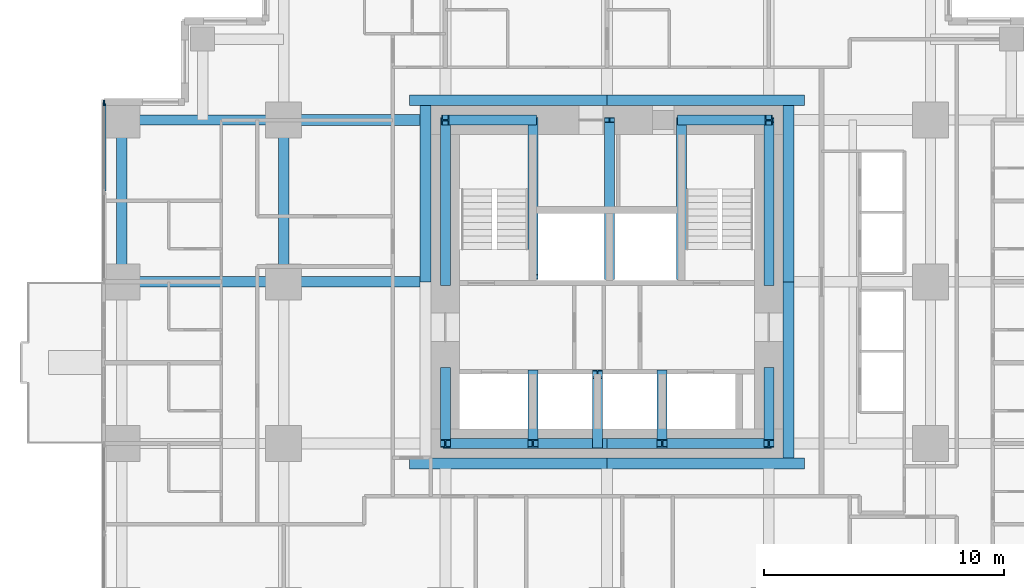
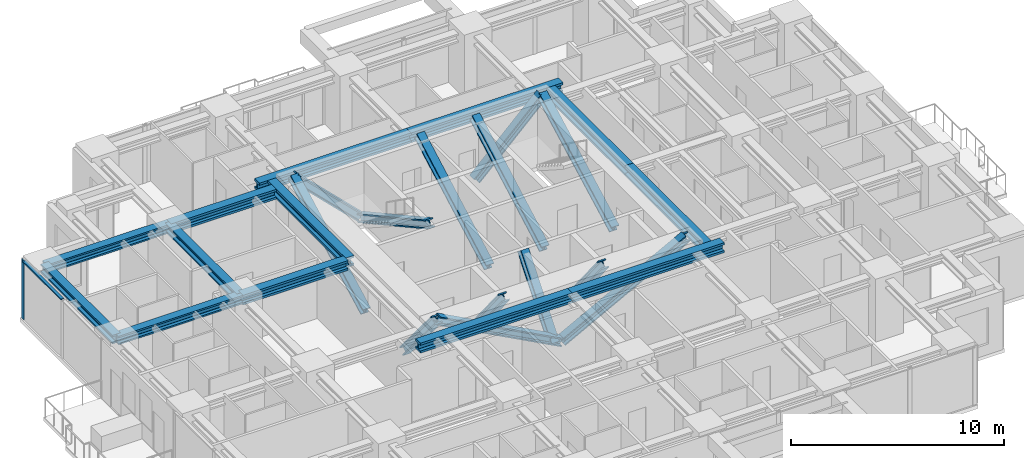
# One storey, part 3 of 13: 16 members, 13 beams, 1 element without a shape of its own.
"""IFC4 building model written with IfcOpenShell, lengths in metres."""

from ifc_helpers import new_model, si_unit, direction, frame, origin, origin_2d, place, context, subcontext, project, spatial, rectangle, i_section, extrude, material, material_profile, profile_set, type_object, element, aggregate, save


model = new_model("IFC4")

# Units and contexts
model_context = context("Model", 3, precision=1e-05, world=origin(), true_north=direction((0.0, 1.0)))
body_context = subcontext(model_context, "Body", "Model", "MODEL_VIEW")
ifc_project = project(units=[si_unit("LENGTHUNIT", "METRE"), si_unit("AREAUNIT", "SQUARE_METRE"), si_unit("VOLUMEUNIT", "CUBIC_METRE"), si_unit("PLANEANGLEUNIT", "RADIAN"), si_unit("MASSUNIT", "GRAM", prefix="KILO")], contexts=[model_context])

# Site, building, storey
site_placement = place(None, origin())
site = spatial("IfcSite", under=ifc_project, at=site_placement, CompositionType="ELEMENT")
building_placement = place(site_placement, origin())
building = spatial("IfcBuilding", under=site, at=building_placement, Name="Nyansa Garden Tower", CompositionType="ELEMENT")
storey_placement = place(building_placement, frame((0.0, 0.0, 130.5)))
storey = spatial("IfcBuildingStorey", under=building, at=storey_placement, Name="L35", CompositionType="ELEMENT", Elevation=130.5)

# Curtain wall, member
ifc_material_1 = material(Name="Black anodised aluminium, dark tinted double glazing", Category="aluminium")
curtain_wall_type = type_object("IfcCurtainWallType", Name="Inner skin curtain wall ISW-B", PredefinedType="USERDEFINED", material=ifc_material_1)
curtain_wall_placement = place(storey_placement, origin())
curtain_wall = element("IfcCurtainWall", 1, at=curtain_wall_placement, inside=storey, type_object=curtain_wall_type, Name="Inner skin curtain wall L35 W", ObjectType="UNITISED CURTAIN WALL", PredefinedType="USERDEFINED")
ifc_material_2 = material(Name="Black anodised aluminium", Category="aluminium")
ifc_material_profile_1 = material_profile(ifc_material_2, rectangle(XDim=0.06494140625, YDim=0.22509765625, at=origin_2d()), Name="Mullion 225x65")
ifc_profile_set_1 = profile_set([ifc_material_profile_1], Name="Black anodised aluminium")
member_type_1 = type_object("IfcMemberType", Name="Mullion ISW-B 225x65", PredefinedType="MULLION", material=ifc_profile_set_1)
member_1_placement = place(storey_placement, frame((-0.75, 27.717529296875, 0.0), z_axis=(0.0, 0.0, 1.0), x_axis=(1.0, 0.0, 0.0)))
member_1 = element("IfcMember", 2, at=member_1_placement, type_object=member_type_1, Name="ISW-B mullion 1", PredefinedType="MULLION", context=body_context, shape_type="SweptSolid", body=[
    extrude(rectangle(XDim=0.06494140625, YDim=0.22509765625, at=origin_2d()), origin(), (0.0, 0.0, 1.0), 3.375),
])

# Members
ifc_material_3 = material(Name="Steel S355", Category="steel")
ifc_material_profile_2 = material_profile(ifc_material_3, i_section(OverallWidth=0.41796875, OverallDepth=0.455078125, WebThickness=0.0419921875, FlangeThickness=0.067626953125, FilletRadius=0.014892578125, at=origin_2d()), Name="HD 400x463")
ifc_profile_set_2 = profile_set([ifc_material_profile_2], Name="Steel S355")
member_type_2 = type_object("IfcMemberType", Name="Perimeter brace HD 400x463", PredefinedType="BRACE", material=ifc_profile_set_2)
for number, where, z_axis, x_axis, name in (
    (3, (20.25, 13.5, 0.0), (-0.882347640589, 0.0, 0.47059817376), (0.0, -1.0, 0.0), "Core brace CS1 L35"),
    (4, (20.25, 13.5, 0.0), (0.882347640589, 0.0, 0.47059817376), (0.0, 1.0, 0.0), "Core brace CS2 L35"),
):
    element("IfcMember", number, at=place(storey_placement, frame(where, z_axis=z_axis, x_axis=x_axis)), inside=storey, type_object=member_type_2, Name=name, PredefinedType="BRACE", context=body_context, shape_type="SweptSolid", body=[
        extrude(i_section(OverallWidth=0.41796875, OverallDepth=0.455078125, WebThickness=0.0419921875, FlangeThickness=0.067626953125, FilletRadius=0.014892578125, at=origin_2d()), origin(), (0.0, 0.0, 1.0), 7.650146484375),
    ])
for number, where, z_axis, x_axis, name in (
    (5, (17.14990234375, 27.0, 0.0), (-0.711947531702, 0.0, 0.702232662373), (0.0, -1.0, 0.0), "Core brace CN3 L35"),
    (6, (23.35009765625, 27.0, 0.0), (0.711947531702, 0.0, 0.702232662373), (0.0, 1.0, 0.0), "Core brace CN4 L35"),
):
    element("IfcMember", number, at=place(storey_placement, frame(where, z_axis=z_axis, x_axis=x_axis)), inside=storey, type_object=member_type_2, Name=name, PredefinedType="BRACE", context=body_context, shape_type="SweptSolid", body=[
        extrude(i_section(OverallWidth=0.41796875, OverallDepth=0.455078125, WebThickness=0.0419921875, FlangeThickness=0.067626953125, FilletRadius=0.014892578125, at=origin_2d()), origin(), (0.0, 0.0, 1.0), 5.126708984375),
    ])
member_2_placement = place(storey_placement, frame((13.5, 16.5, 0.0), z_axis=(0.0, -0.640174150918, 0.768229820104), x_axis=(1.0, 0.0, 0.0)))
element("IfcMember", 7, at=member_2_placement, inside=storey, type_object=member_type_2, Name="Core brace CW5 L35", PredefinedType="BRACE", context=body_context, shape_type="SweptSolid", body=[
    extrude(i_section(OverallWidth=0.41796875, OverallDepth=0.455078125, WebThickness=0.0419921875, FlangeThickness=0.067626953125, FilletRadius=0.014892578125, at=origin_2d()), origin(), (0.0, 0.0, 1.0), 4.686279296875),
])
member_3_placement = place(storey_placement, frame((13.5, 20.199951171875, 0.0), z_axis=(0.0, 0.883784057226, 0.467895009796), x_axis=(-1.0, 0.0, 0.0)))
element("IfcMember", 8, at=member_3_placement, inside=storey, type_object=member_type_2, Name="Core brace CW6 L35", PredefinedType="BRACE", context=body_context, shape_type="SweptSolid", body=[
    extrude(i_section(OverallWidth=0.41796875, OverallDepth=0.455078125, WebThickness=0.0419921875, FlangeThickness=0.067626953125, FilletRadius=0.014892578125, at=origin_2d()), origin(), (0.0, 0.0, 1.0), 7.6943359375),
])
member_4_placement = place(storey_placement, frame((27.0, 16.5, 0.0), z_axis=(0.0, -0.640174150918, 0.768229820104), x_axis=(1.0, 0.0, 0.0)))
element("IfcMember", 9, at=member_4_placement, inside=storey, type_object=member_type_2, Name="Core brace CE7 L35", PredefinedType="BRACE", context=body_context, shape_type="SweptSolid", body=[
    extrude(i_section(OverallWidth=0.41796875, OverallDepth=0.455078125, WebThickness=0.0419921875, FlangeThickness=0.067626953125, FilletRadius=0.014892578125, at=origin_2d()), origin(), (0.0, 0.0, 1.0), 4.686279296875),
])
member_5_placement = place(storey_placement, frame((27.0, 20.199951171875, 0.0), z_axis=(0.0, 0.883784057226, 0.467895009796), x_axis=(-1.0, 0.0, 0.0)))
element("IfcMember", 10, at=member_5_placement, inside=storey, type_object=member_type_2, Name="Core brace CE8 L35", PredefinedType="BRACE", context=body_context, shape_type="SweptSolid", body=[
    extrude(i_section(OverallWidth=0.41796875, OverallDepth=0.455078125, WebThickness=0.0419921875, FlangeThickness=0.067626953125, FilletRadius=0.014892578125, at=origin_2d()), origin(), (0.0, 0.0, 1.0), 7.6943359375),
])
for number, where, z_axis, x_axis, name in (
    (11, (17.14990234375, 27.0, 0.0), (0.0, -0.876353113771, 0.481669201822), (1.0, 0.0, 0.0), "Core brace CWS9 L35"),
    (12, (23.35009765625, 20.449951171875, 0.0), (0.0, 0.876353113771, 0.481669201822), (-1.0, 0.0, 0.0), "Core brace CES10 L35"),
):
    element("IfcMember", number, at=place(storey_placement, frame(where, z_axis=z_axis, x_axis=x_axis)), inside=storey, type_object=member_type_2, Name=name, PredefinedType="BRACE", context=body_context, shape_type="SweptSolid", body=[
        extrude(i_section(OverallWidth=0.41796875, OverallDepth=0.455078125, WebThickness=0.0419921875, FlangeThickness=0.067626953125, FilletRadius=0.014892578125, at=origin_2d()), origin(), (0.0, 0.0, 1.0), 7.47412109375),
    ])
for number, where, z_axis, x_axis, name in (
    (13, (17.14990234375, 16.39990234375, 0.0), (0.0, -0.627306405886, 0.778772542617), (1.0, 0.0, 0.0), "Core brace CSW11 L35"),
    (14, (19.85009765625, 13.5, 0.0), (0.0, 0.627306405886, 0.778772542617), (-1.0, 0.0, 0.0), "Core brace CSW12 L35"),
    (15, (22.550048828125, 16.39990234375, 0.0), (0.0, -0.627306405886, 0.778772542617), (1.0, 0.0, 0.0), "Core brace CSW13 L35"),
):
    element("IfcMember", number, at=place(storey_placement, frame(where, z_axis=z_axis, x_axis=x_axis)), inside=storey, type_object=member_type_2, Name=name, PredefinedType="BRACE", context=body_context, shape_type="SweptSolid", body=[
        extrude(i_section(OverallWidth=0.41796875, OverallDepth=0.455078125, WebThickness=0.0419921875, FlangeThickness=0.067626953125, FilletRadius=0.014892578125, at=origin_2d()), origin(), (0.0, 0.0, 1.0), 4.622802734375),
    ])
member_6_placement = place(storey_placement, frame((20.35009765625, 20.449951171875, 0.0), z_axis=(0.0, 0.876353113771, 0.481669201822), x_axis=(-1.0, 0.0, 0.0)))
element("IfcMember", 16, at=member_6_placement, inside=storey, type_object=member_type_2, Name="Core brace CNW14 L35", PredefinedType="BRACE", context=body_context, shape_type="SweptSolid", body=[
    extrude(i_section(OverallWidth=0.41796875, OverallDepth=0.455078125, WebThickness=0.0419921875, FlangeThickness=0.067626953125, FilletRadius=0.014892578125, at=origin_2d()), origin(), (0.0, 0.0, 1.0), 7.47412109375),
])

# Beams
ifc_material_4 = material(Name="Steel S355", Category="steel")
ifc_material_profile_3 = material_profile(ifc_material_4, i_section(OverallWidth=0.431884765625, OverallDepth=0.498046875, WebThickness=0.0556640625, FlangeThickness=0.0888671875, FilletRadius=0.014892578125, at=origin_2d()), Name="HD 400x744")
ifc_profile_set_3 = profile_set([ifc_material_profile_3], Name="Steel S355")
beam_type_1 = type_object("IfcBeamType", Name="Steel beam SBB2-744 HD 400x744", PredefinedType="BEAM", material=ifc_profile_set_3)
for number, where, z_axis, x_axis, name in (
    (17, (0.0, 20.25, 3.1259765625), (1.0, 0.0, 0.0), (0.0, 1.0, 0.0), "Steel beam 2/G-3/G L36"),
    (18, (0.0, 27.0, 3.1259765625), (1.0, 0.0, 0.0), (0.0, 1.0, 0.0), "Steel beam 2/H-3/H L36"),
    (19, (6.75, 20.25, 3.1259765625), (0.0, 1.0, 0.0), (-1.0, 0.0, 0.0), "Steel beam 3/G-3/H L36"),
):
    element("IfcBeam", number, at=place(storey_placement, frame(where, z_axis=z_axis, x_axis=x_axis)), inside=storey, type_object=beam_type_1, Name=name, PredefinedType="BEAM", context=body_context, shape_type="SweptSolid", body=[
        extrude(i_section(OverallWidth=0.431884765625, OverallDepth=0.498046875, WebThickness=0.0556640625, FlangeThickness=0.0888671875, FilletRadius=0.014892578125, at=origin_2d()), origin(), (0.0, 0.0, 1.0), 6.75),
    ])
ifc_material_5 = material(Name="Steel S355", Category="steel")
ifc_material_profile_4 = material_profile(ifc_material_5, i_section(OverallWidth=0.4541015625, OverallDepth=0.569091796875, WebThickness=0.077880859375, FlangeThickness=0.125, FilletRadius=0.014892578125, at=origin_2d()), Name="HD 400x1086")
ifc_profile_set_4 = profile_set([ifc_material_profile_4], Name="Steel S355")
beam_type_2 = type_object("IfcBeamType", Name="Steel beam SCL-1086 HD 400x1086", PredefinedType="BEAM", material=ifc_profile_set_4)
for number, where, z_axis, x_axis, name in (
    (20, (6.75, 20.25, 3.090576171875), (1.0, 0.0, 0.0), (0.0, 1.0, 0.0), "Steel beam 3/G-12.450/G L36"),
    (21, (6.75, 27.0, 3.090576171875), (1.0, 0.0, 0.0), (0.0, 1.0, 0.0), "Steel beam 3/H-12.450/H L36"),
):
    element("IfcBeam", number, at=place(storey_placement, frame(where, z_axis=z_axis, x_axis=x_axis)), inside=storey, type_object=beam_type_2, Name=name, PredefinedType="BEAM", context=body_context, shape_type="SweptSolid", body=[
        extrude(i_section(OverallWidth=0.4541015625, OverallDepth=0.569091796875, WebThickness=0.077880859375, FlangeThickness=0.125, FilletRadius=0.014892578125, at=origin_2d()), origin(), (0.0, 0.0, 1.0), 5.699951171875),
    ])
for number, where, z_axis, x_axis, name in (
    (22, (12.0, 12.673095703125, 3.090576171875), (1.0, 0.0, 0.0), (0.0, 1.0, 0.0), "Steel core ledger beam S.1 L36"),
    (23, (20.25, 12.673095703125, 3.090576171875), (1.0, 0.0, 0.0), (0.0, 1.0, 0.0), "Steel core ledger beam S.2 L36"),
):
    element("IfcBeam", number, at=place(storey_placement, frame(where, z_axis=z_axis, x_axis=x_axis)), inside=storey, type_object=beam_type_2, Name=name, PredefinedType="BEAM", context=body_context, shape_type="SweptSolid", body=[
        extrude(i_section(OverallWidth=0.4541015625, OverallDepth=0.569091796875, WebThickness=0.077880859375, FlangeThickness=0.125, FilletRadius=0.014892578125, at=origin_2d()), origin(), (0.0, 0.0, 1.0), 8.25),
    ])
for number, where, z_axis, x_axis, name in (
    (24, (27.826904296875, 12.89990234375, 3.090576171875), (0.0, 1.0, 0.0), (-1.0, 0.0, 0.0), "Steel core ledger beam E.1 L36"),
    (25, (27.826904296875, 20.25, 3.090576171875), (0.0, 1.0, 0.0), (-1.0, 0.0, 0.0), "Steel core ledger beam E.2 L36"),
):
    element("IfcBeam", number, at=place(storey_placement, frame(where, z_axis=z_axis, x_axis=x_axis)), inside=storey, type_object=beam_type_2, Name=name, PredefinedType="BEAM", context=body_context, shape_type="SweptSolid", body=[
        extrude(i_section(OverallWidth=0.4541015625, OverallDepth=0.569091796875, WebThickness=0.077880859375, FlangeThickness=0.125, FilletRadius=0.014892578125, at=origin_2d()), origin(), (0.0, 0.0, 1.0), 7.35009765625),
    ])
for number, where, z_axis, x_axis, name in (
    (26, (28.5, 27.826904296875, 3.090576171875), (-1.0, 0.0, 0.0), (0.0, -1.0, 0.0), "Steel core ledger beam N.1 L36"),
    (27, (20.25, 27.826904296875, 3.090576171875), (-1.0, 0.0, 0.0), (0.0, -1.0, 0.0), "Steel core ledger beam N.2 L36"),
):
    element("IfcBeam", number, at=place(storey_placement, frame(where, z_axis=z_axis, x_axis=x_axis)), inside=storey, type_object=beam_type_2, Name=name, PredefinedType="BEAM", context=body_context, shape_type="SweptSolid", body=[
        extrude(i_section(OverallWidth=0.4541015625, OverallDepth=0.569091796875, WebThickness=0.077880859375, FlangeThickness=0.125, FilletRadius=0.014892578125, at=origin_2d()), origin(), (0.0, 0.0, 1.0), 8.25),
    ])
beam_1_placement = place(storey_placement, frame((12.673095703125, 27.60009765625, 3.090576171875), z_axis=(0.0, -1.0, 0.0), x_axis=(1.0, 0.0, 0.0)))
element("IfcBeam", 28, at=beam_1_placement, inside=storey, type_object=beam_type_2, Name="Steel core ledger beam W.1 L36", PredefinedType="BEAM", context=body_context, shape_type="SweptSolid", body=[
    extrude(i_section(OverallWidth=0.4541015625, OverallDepth=0.569091796875, WebThickness=0.077880859375, FlangeThickness=0.125, FilletRadius=0.014892578125, at=origin_2d()), origin(), (0.0, 0.0, 1.0), 7.35009765625),
])
ifc_material_6 = material(Name="Steel S355", Category="steel")
ifc_material_profile_5 = material_profile(ifc_material_6, i_section(OverallWidth=0.431884765625, OverallDepth=0.498046875, WebThickness=0.0556640625, FlangeThickness=0.0888671875, FilletRadius=0.014892578125, at=origin_2d()), Name="HD 400x744")
ifc_profile_set_5 = profile_set([ifc_material_profile_5], Name="Steel S355")
beam_type_3 = type_object("IfcBeamType", Name="Steel beam SEBB-744 HD 400x744", PredefinedType="BEAM", material=ifc_profile_set_5)
beam_2_placement = place(storey_placement, frame((0.0, 20.25, 3.1259765625), z_axis=(0.0, 1.0, 0.0), x_axis=(-1.0, 0.0, 0.0)))
element("IfcBeam", 29, at=beam_2_placement, inside=storey, type_object=beam_type_3, Name="Steel edge beam 2/G-2/H L36", PredefinedType="BEAM", context=body_context, shape_type="SweptSolid", body=[
    extrude(i_section(OverallWidth=0.431884765625, OverallDepth=0.498046875, WebThickness=0.0556640625, FlangeThickness=0.0888671875, FilletRadius=0.014892578125, at=origin_2d()), origin(), (0.0, 0.0, 1.0), 6.75),
])

# Member
ifc_material_7 = material(Name="Black anodised aluminium", Category="aluminium")
ifc_material_profile_6 = material_profile(ifc_material_7, rectangle(XDim=0.1650390625, YDim=0.06494140625, at=origin_2d()), Name="Transom 165x65")
ifc_profile_set_6 = profile_set([ifc_material_profile_6], Name="Black anodised aluminium")
member_type_3 = type_object("IfcMemberType", Name="Transom ISW-B 165x65", PredefinedType="USERDEFINED", material=ifc_profile_set_6)
member_7_placement = place(storey_placement, frame((-0.75, 27.68505859375, 3.342529296875), z_axis=(0.0, -1.0, 0.0), x_axis=(1.0, 0.0, 0.0)))
member_7 = element("IfcMember", 30, at=member_7_placement, type_object=member_type_3, Name="ISW-B transom 1", ObjectType="TRANSOM", PredefinedType="USERDEFINED", context=body_context, shape_type="SweptSolid", body=[
    extrude(rectangle(XDim=0.1650390625, YDim=0.06494140625, at=origin_2d()), origin(), (0.0, 0.0, 1.0), 3.652587890625),
])

aggregate(curtain_wall, [member_1, member_7])

save(model, "model.ifc")
